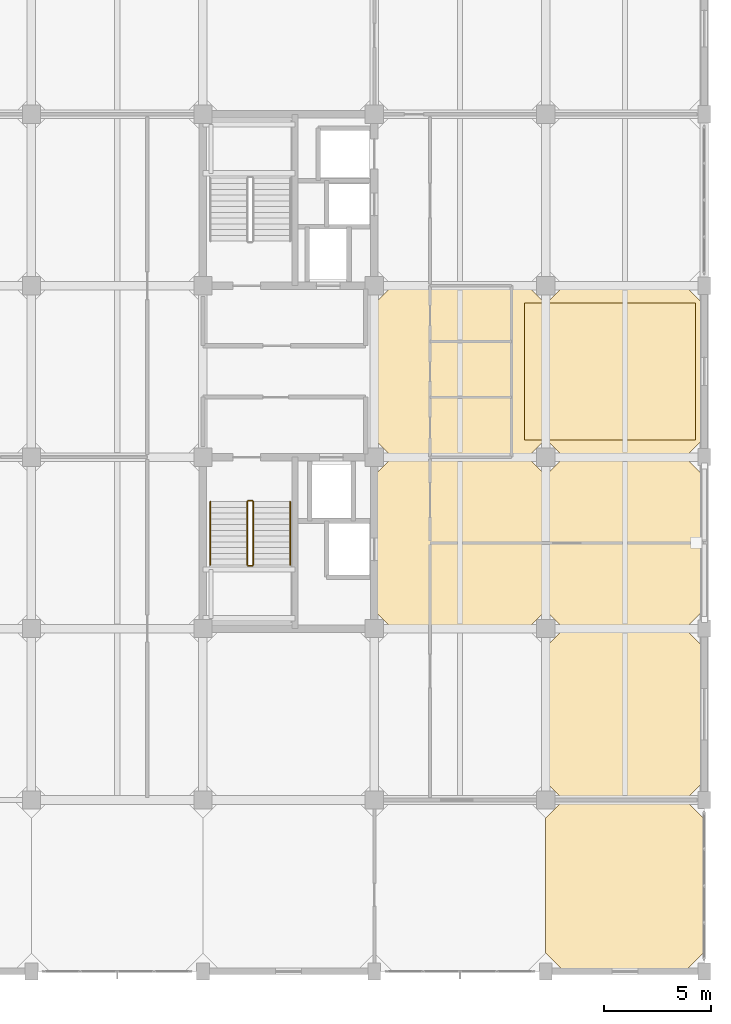
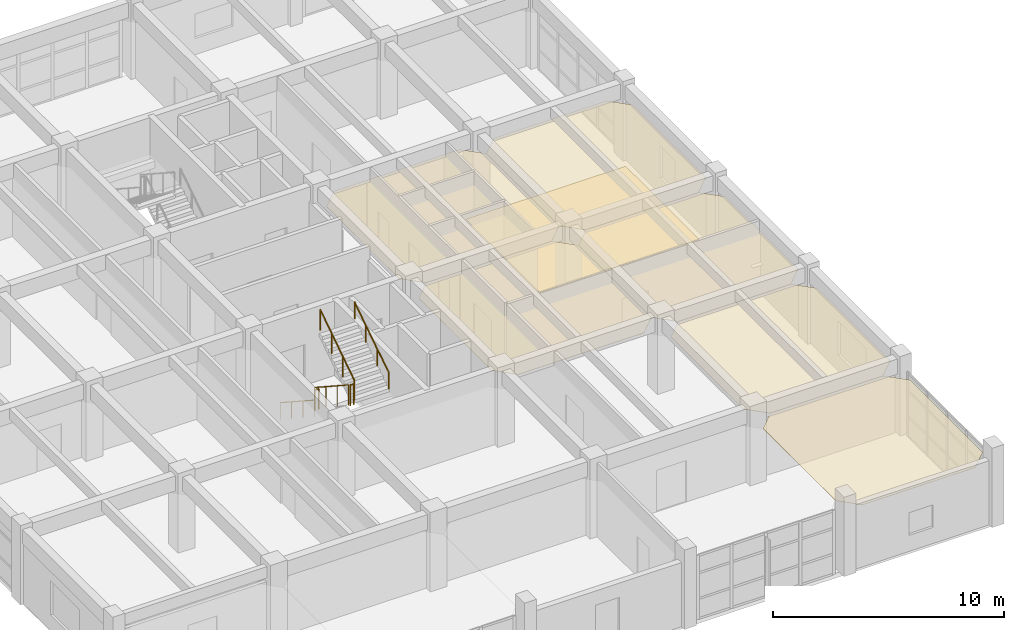
# One storey, part 25 of 27: 7 coverings, 6 railings.
"""IFC4 building model written with IfcOpenShell, lengths in metres."""

from ifc_helpers import new_model, si_unit, direction, frame, origin, origin_2d, place, context, subcontext, project, spatial, polyline, circle, outline, extrude, material, layer, layer_set, type_object, element, save


model = new_model("IFC4")

# Units and contexts
model_context = context("Model", 3, precision=1e-05, world=origin(), true_north=direction((0.0, 1.0)))
body_context = subcontext(model_context, "Body", "Model", "MODEL_VIEW")
ifc_project = project(units=[si_unit("LENGTHUNIT", "METRE"), si_unit("AREAUNIT", "SQUARE_METRE"), si_unit("VOLUMEUNIT", "CUBIC_METRE"), si_unit("PLANEANGLEUNIT", "RADIAN"), si_unit("MASSUNIT", "GRAM", prefix="KILO")], contexts=[model_context])

# Site, building, storey
site_placement = place(None, origin())
site = spatial("IfcSite", under=ifc_project, at=site_placement, CompositionType="ELEMENT")
building_placement = place(site_placement, origin())
building = spatial("IfcBuilding", under=site, at=building_placement, Name="Canggui Botanical Conservatory", CompositionType="ELEMENT")
storey_placement = place(building_placement, frame((0.0, 0.0, 23.39990234375)))
storey = spatial("IfcBuildingStorey", under=building, at=storey_placement, Name="L06", CompositionType="ELEMENT", Elevation=23.39990234375)

# Coverings
ifc_material_1 = material(Name="Mineral Fibre Acoustic Board")
ifc_layer_1 = layer(ifc_material_1, 0.014892578125, Name="Mineral Fibre Acoustic Board")
ifc_layer_set_1 = layer_set([ifc_layer_1], Name="Mineral Fibre Acoustic Board")
covering_type_1 = type_object("IfcCoveringType", Name="COV-CEIL-15", PredefinedType="CEILING", material=ifc_layer_set_1)
covering_1_placement = place(storey_placement, frame((0.0, 0.0, 3.14501953125)))
element("IfcCovering", 1, at=covering_1_placement, inside=storey, type_object=covering_type_1, Name="Suspended Acoustic Ceiling L06-162-50", PredefinedType="CEILING", context=body_context, shape_type="SweptSolid", body=[
    extrude(outline(polyline([(162.85009765625, 50.0), (169.14990234375, 50.0), (170.0, 50.85009765625), (170.0, 57.14990234375), (169.14990234375, 58.0), (162.85009765625, 58.0), (162.0, 57.14990234375), (162.0, 50.85009765625), (162.85009765625, 50.0)])), origin(), (0.0, 0.0, 1.0), 0.01513671875),
])
covering_2_placement = place(storey_placement, frame((0.0, 0.0, 3.14501953125)))
element("IfcCovering", 2, at=covering_2_placement, inside=storey, type_object=covering_type_1, Name="Suspended Acoustic Ceiling L06-170-26", PredefinedType="CEILING", context=body_context, shape_type="SweptSolid", body=[
    extrude(outline(polyline([(170.85009765625, 26.0), (176.5, 26.0), (177.35009765625, 26.85009765625), (177.35009765625, 33.14990234375), (176.5, 34.0), (170.85009765625, 34.0), (170.0, 33.14990234375), (170.0, 26.85009765625), (170.85009765625, 26.0)])), origin(), (0.0, 0.0, 1.0), 0.01513671875),
])
covering_3_placement = place(storey_placement, frame((0.0, 0.0, 3.14501953125)))
element("IfcCovering", 3, at=covering_3_placement, inside=storey, type_object=covering_type_1, Name="Suspended Acoustic Ceiling L06-170-42", PredefinedType="CEILING", context=body_context, shape_type="SweptSolid", body=[
    extrude(outline(polyline([(170.85009765625, 42.0), (176.5, 42.0), (177.35009765625, 42.85009765625), (177.35009765625, 49.14990234375), (176.5, 50.0), (170.85009765625, 50.0), (170.0, 49.14990234375), (170.0, 42.85009765625), (170.85009765625, 42.0)])), origin(), (0.0, 0.0, 1.0), 0.01513671875),
])
ifc_material_2 = material(Name="Perforated Gypsum Acoustic Panel")
ifc_layer_2 = layer(ifc_material_2, 0.02001953125, Name="Perforated Gypsum Acoustic Panel")
ifc_layer_set_2 = layer_set([ifc_layer_2], Name="Perforated Gypsum Acoustic Panel")
covering_type_2 = type_object("IfcCoveringType", Name="COV-CEIL-20", PredefinedType="CEILING", material=ifc_layer_set_2)
covering_4_placement = place(storey_placement, frame((0.0, 0.0, 3.14013671875)))
element("IfcCovering", 4, at=covering_4_placement, inside=storey, type_object=covering_type_2, Name="Suspended Acoustic Ceiling L06-162-42", PredefinedType="CEILING", context=body_context, shape_type="SweptSolid", body=[
    extrude(outline(polyline([(162.85009765625, 42.0), (169.14990234375, 42.0), (170.0, 42.85009765625), (170.0, 49.14990234375), (169.14990234375, 50.0), (162.85009765625, 50.0), (162.0, 49.14990234375), (162.0, 42.85009765625), (162.85009765625, 42.0)])), origin(), (0.0, 0.0, 1.0), 0.02001953125),
])
covering_5_placement = place(storey_placement, frame((0.0, 0.0, 3.14013671875)))
element("IfcCovering", 5, at=covering_5_placement, inside=storey, type_object=covering_type_2, Name="Suspended Acoustic Ceiling L06-170-34", PredefinedType="CEILING", context=body_context, shape_type="SweptSolid", body=[
    extrude(outline(polyline([(170.85009765625, 34.0), (176.5, 34.0), (177.35009765625, 34.85009765625), (177.35009765625, 41.14990234375), (176.5, 42.0), (170.85009765625, 42.0), (170.0, 41.14990234375), (170.0, 34.85009765625), (170.85009765625, 34.0)])), origin(), (0.0, 0.0, 1.0), 0.02001953125),
])
covering_6_placement = place(storey_placement, frame((0.0, 0.0, 3.14013671875)))
element("IfcCovering", 6, at=covering_6_placement, inside=storey, type_object=covering_type_2, Name="Suspended Acoustic Ceiling L06-170-50", PredefinedType="CEILING", context=body_context, shape_type="SweptSolid", body=[
    extrude(outline(polyline([(170.85009765625, 50.0), (176.5, 50.0), (177.35009765625, 50.85009765625), (177.35009765625, 57.14990234375), (176.5, 58.0), (170.85009765625, 58.0), (170.0, 57.14990234375), (170.0, 50.85009765625), (170.85009765625, 50.0)])), origin(), (0.0, 0.0, 1.0), 0.02001953125),
])
ifc_material_3 = material(Name="Seamless Laboratory Epoxy Resin")
ifc_layer_3 = layer(ifc_material_3, 0.011962890625, Name="Seamless Laboratory Epoxy Resin")
ifc_layer_set_3 = layer_set([ifc_layer_3], Name="Seamless Laboratory Epoxy Resin")
covering_type_3 = type_object("IfcCoveringType", Name="COV-FLR-12", PredefinedType="FLOORING", material=ifc_layer_set_3)
covering_7_placement = place(storey_placement, origin())
element("IfcCovering", 7, at=covering_7_placement, inside=storey, type_object=covering_type_3, Name="Laboratory Finish Flooring L06", PredefinedType="FLOORING", context=body_context, shape_type="SweptSolid", body=[
    extrude(outline(polyline([(169.0, 50.800048828125), (177.0, 50.800048828125), (177.0, 57.199951171875), (169.0, 57.199951171875), (169.0, 50.800048828125)])), origin(), (0.0, 0.0, 1.0), 0.01220703125),
])

# Railings
ifc_material_4 = material(Name="Stainless Steel 304", Category="steel")
railing_type_1 = type_object("IfcRailingType", Name="RAIL-GUARD-1100", PredefinedType="BALUSTRADE", material=ifc_material_4)
railing_1_placement = place(storey_placement, frame((156.070068359375, 47.919921875, 0.175048828125)))
element("IfcRailing", 8, at=railing_1_placement, inside=storey, type_object=railing_type_1, Name="L06 ST-T1 stair guard 1", PredefinedType="BALUSTRADE", context=body_context, shape_type="SweptSolid", body=[
    extrude(circle(Radius=0.02392578125, at=origin_2d()), frame((0.0, 0.0, 1.076171875), z_axis=(0.0, -0.837293178872, 0.54675417933), x_axis=(1.0, 0.0, 0.0)), (0.0, 0.0, 1.0), 3.520751953125),
    extrude(circle(Radius=0.02099609375, at=origin_2d()), origin(), (0.0, 0.0, 1.0), 1.052001953125),
    extrude(circle(Radius=0.02099609375, at=origin_2d()), frame((0.0, -0.982666015625, 0.6416015625)), (0.0, 0.0, 1.0), 1.052001953125),
    extrude(circle(Radius=0.02099609375, at=origin_2d()), frame((0.0, -1.96533203125, 1.283447265625)), (0.0, 0.0, 1.0), 1.052001953125),
    extrude(circle(Radius=0.02099609375, at=origin_2d()), frame((0.0, -2.947998046875, 1.925048828125)), (0.0, 0.0, 1.0), 1.052001953125),
])
railing_2_placement = place(storey_placement, frame((156.1201171875, 44.922119140625, 2.10009765625)))
element("IfcRailing", 9, at=railing_2_placement, inside=storey, type_object=railing_type_1, Name="L06 ST-T1 stair guard 2", PredefinedType="BALUSTRADE", context=body_context, shape_type="SweptSolid", body=[
    extrude(circle(Radius=0.02392578125, at=origin_2d()), frame((0.0, 0.0, 1.076171875), z_axis=(1.0, 0.0, 0.0), x_axis=(0.0, 1.0, 0.0)), (0.0, 0.0, 1.0), 0.179931640625),
    extrude(circle(Radius=0.02099609375, at=origin_2d()), origin(), (0.0, 0.0, 1.0), 1.052001953125),
    extrude(circle(Radius=0.02099609375, at=origin_2d()), frame((0.179931640625, 0.0, 0.0)), (0.0, 0.0, 1.0), 1.052001953125),
])
railing_3_placement = place(storey_placement, frame((156.35009765625, 44.971923828125, 2.275146484375)))
element("IfcRailing", 10, at=railing_3_placement, inside=storey, type_object=railing_type_1, Name="L06 ST-T1 stair guard 3", PredefinedType="BALUSTRADE", context=body_context, shape_type="SweptSolid", body=[
    extrude(circle(Radius=0.02392578125, at=origin_2d()), frame((0.0, 0.0, 1.076171875), z_axis=(0.0, 0.837293178872, 0.54675417933), x_axis=(-1.0, 0.0, 0.0)), (0.0, 0.0, 1.0), 3.520751953125),
    extrude(circle(Radius=0.02099609375, at=origin_2d()), origin(), (0.0, 0.0, 1.0), 1.052001953125),
    extrude(circle(Radius=0.02099609375, at=origin_2d()), frame((0.0, 0.982666015625, 0.6416015625)), (0.0, 0.0, 1.0), 1.052001953125),
    extrude(circle(Radius=0.02099609375, at=origin_2d()), frame((0.0, 1.96533203125, 1.283447265625)), (0.0, 0.0, 1.0), 1.052001953125),
    extrude(circle(Radius=0.02099609375, at=origin_2d()), frame((0.0, 2.947998046875, 1.925048828125)), (0.0, 0.0, 1.0), 1.052001953125),
])
railing_4_placement = place(storey_placement, frame((156.1201171875, 47.969970703125, 0.0)))
element("IfcRailing", 11, at=railing_4_placement, inside=storey, type_object=railing_type_1, Name="L06 ST-T1 stair guard 4", PredefinedType="BALUSTRADE", context=body_context, shape_type="SweptSolid", body=[
    extrude(circle(Radius=0.02392578125, at=origin_2d()), frame((0.0, 0.0, 1.076171875), z_axis=(1.0, 0.0, 0.0), x_axis=(0.0, 1.0, 0.0)), (0.0, 0.0, 1.0), 0.179931640625),
    extrude(circle(Radius=0.02099609375, at=origin_2d()), origin(), (0.0, 0.0, 1.0), 1.052001953125),
    extrude(circle(Radius=0.02099609375, at=origin_2d()), frame((0.179931640625, 0.0, 0.0)), (0.0, 0.0, 1.0), 1.052001953125),
])
railing_type_2 = type_object("IfcRailingType", Name="RAIL-HAND-900", PredefinedType="HANDRAIL", material=ifc_material_4)
railing_5_placement = place(storey_placement, frame((154.35009765625, 47.919921875, 0.175048828125)))
element("IfcRailing", 12, at=railing_5_placement, inside=storey, type_object=railing_type_2, Name="L06 ST-T1 stair handrail 1", PredefinedType="HANDRAIL", context=body_context, shape_type="SweptSolid", body=[
    extrude(circle(Radius=0.02392578125, at=origin_2d()), frame((0.0, 0.0, 0.8759765625), z_axis=(0.0, -0.837293178872, 0.54675417933), x_axis=(1.0, 0.0, 0.0)), (0.0, 0.0, 1.0), 3.520751953125),
    extrude(circle(Radius=0.02099609375, at=origin_2d()), origin(), (0.0, 0.0, 1.0), 0.851806640625),
    extrude(circle(Radius=0.02099609375, at=origin_2d()), frame((0.0, -0.982666015625, 0.6416015625)), (0.0, 0.0, 1.0), 0.851806640625),
    extrude(circle(Radius=0.02099609375, at=origin_2d()), frame((0.0, -1.96533203125, 1.283447265625)), (0.0, 0.0, 1.0), 0.851806640625),
    extrude(circle(Radius=0.02099609375, at=origin_2d()), frame((0.0, -2.947998046875, 1.925048828125)), (0.0, 0.0, 1.0), 0.851806640625),
])
railing_6_placement = place(storey_placement, frame((158.070068359375, 44.971923828125, 2.275146484375)))
element("IfcRailing", 13, at=railing_6_placement, inside=storey, type_object=railing_type_2, Name="L06 ST-T1 stair handrail 2", PredefinedType="HANDRAIL", context=body_context, shape_type="SweptSolid", body=[
    extrude(circle(Radius=0.02392578125, at=origin_2d()), frame((0.0, 0.0, 0.8759765625), z_axis=(0.0, 0.837293178872, 0.54675417933), x_axis=(-1.0, 0.0, 0.0)), (0.0, 0.0, 1.0), 3.520751953125),
    extrude(circle(Radius=0.02099609375, at=origin_2d()), origin(), (0.0, 0.0, 1.0), 0.851806640625),
    extrude(circle(Radius=0.02099609375, at=origin_2d()), frame((0.0, 0.982666015625, 0.6416015625)), (0.0, 0.0, 1.0), 0.851806640625),
    extrude(circle(Radius=0.02099609375, at=origin_2d()), frame((0.0, 1.96533203125, 1.283447265625)), (0.0, 0.0, 1.0), 0.851806640625),
    extrude(circle(Radius=0.02099609375, at=origin_2d()), frame((0.0, 2.947998046875, 1.925048828125)), (0.0, 0.0, 1.0), 0.851806640625),
])

save(model, "model.ifc")
